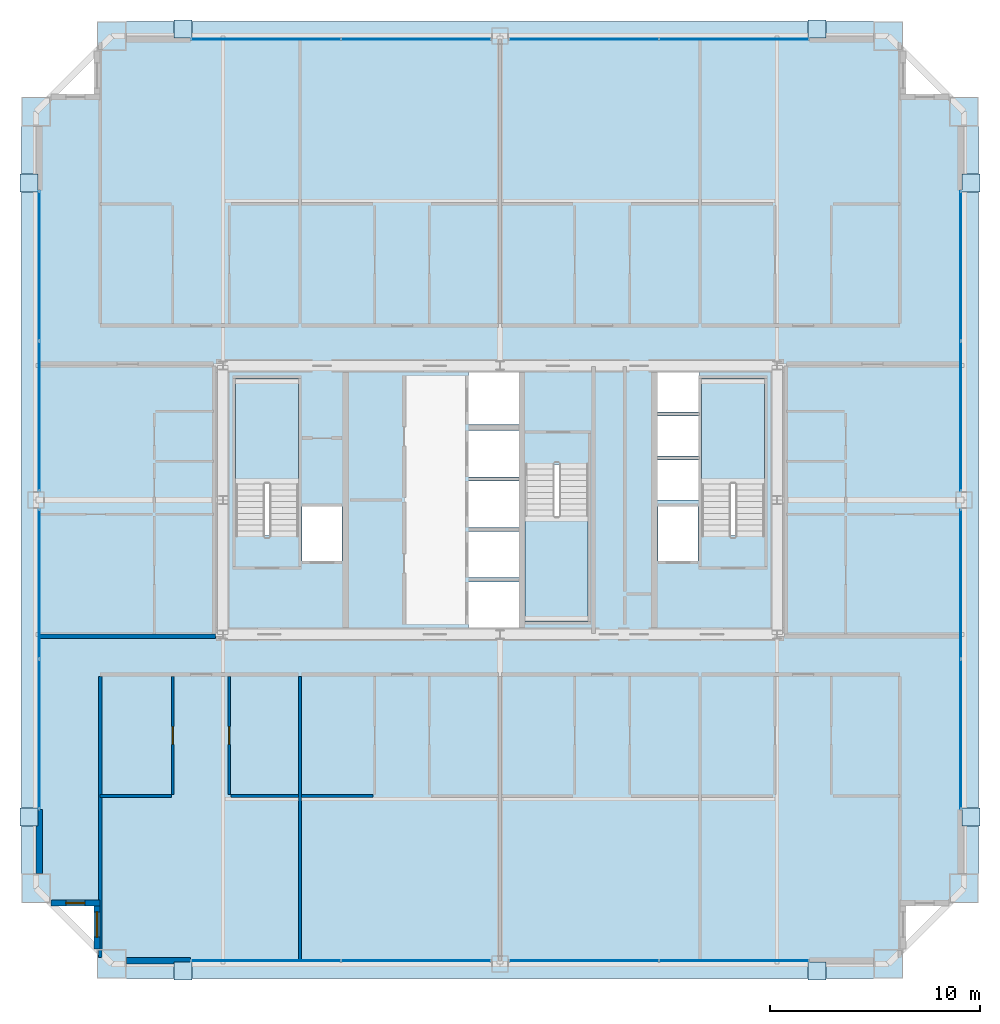
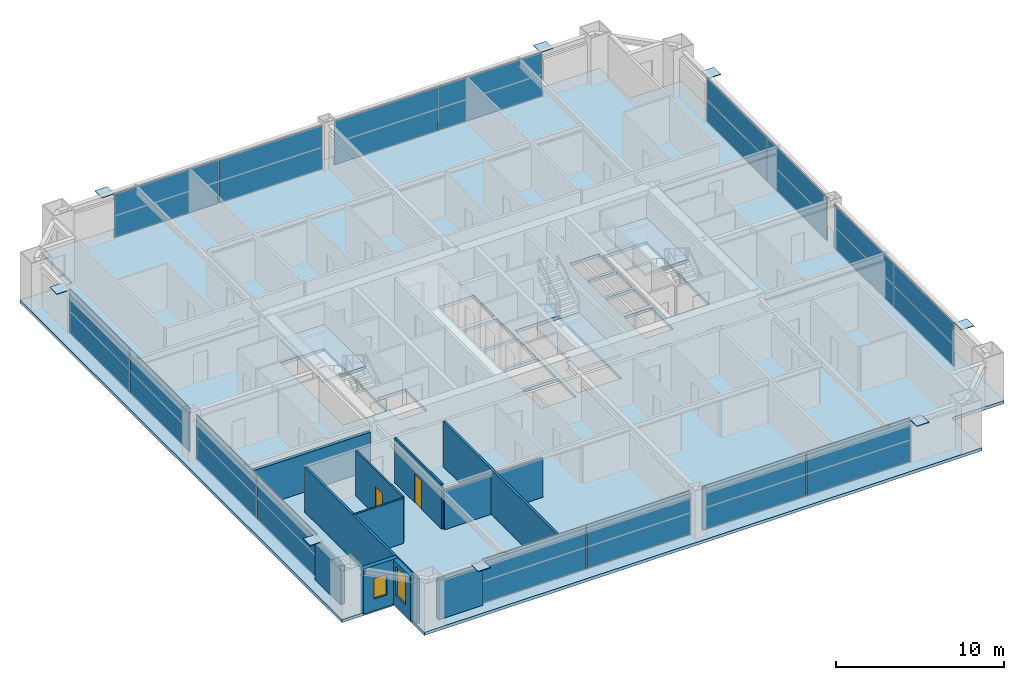
# One storey, part 32 of 38: 24 plates, 12 walls, 4 slabs, 2 doors, 2 windows, 4 openings, 11 elements without a shape of their own.
"""IFC4 building model written with IfcOpenShell, lengths in metres."""

from ifc_helpers import new_model, si_unit, direction, frame, frame_2d, origin, origin_2d, place, context, subcontext, project, spatial, polyline, rectangle, outline, extrude, source, transform, mapped, material, layer, layer_set, type_object, element, fill, aggregate, save


model = new_model("IFC4")

# Units and contexts
model_context = context("Model", 3, precision=1e-05, world=origin(), true_north=direction((0.0, 1.0)))
body_context = subcontext(model_context, "Body", "Model", "MODEL_VIEW")
ifc_project = project(units=[si_unit("LENGTHUNIT", "METRE"), si_unit("AREAUNIT", "SQUARE_METRE"), si_unit("VOLUMEUNIT", "CUBIC_METRE"), si_unit("PLANEANGLEUNIT", "RADIAN"), si_unit("MASSUNIT", "GRAM", prefix="KILO"), si_unit("THERMODYNAMICTEMPERATUREUNIT", "KELVIN"), si_unit("POWERUNIT", "WATT")], contexts=[model_context])

# Site, building, storey
site_placement = place(None, origin())
site = spatial("IfcSite", under=ifc_project, at=site_placement, CompositionType="ELEMENT")
building_placement = place(site_placement, origin())
building = spatial("IfcBuilding", under=site, at=building_placement, Name="Yuzanri Waterfront Tower", CompositionType="ELEMENT")
storey_placement = place(building_placement, frame((0.0, 0.0, 181.0)))
storey = spatial("IfcBuildingStorey", under=building, at=storey_placement, Name="L47", CompositionType="ELEMENT", Elevation=181.0)

# Stair, slab
ifc_material_1 = material(Name="Concrete C40", Category="concrete")
stair_type = type_object("IfcStairType", Name="Concrete C40 Core Dogleg Exit Stair", PredefinedType="HALF_TURN_STAIR", material=ifc_material_1)
stair_1_placement = place(storey_placement, origin())
stair_1 = element("IfcStair", 1, at=stair_1_placement, inside=storey, type_object=stair_type, Name="L47 Smoke-Proof Core Stair ST-01", PredefinedType="HALF_TURN_STAIR")
ifc_material_2 = material(Name="Concrete C40", Category="concrete")
ifc_layer_1 = layer(ifc_material_2, 0.179931640625)
ifc_layer_set_1 = layer_set([ifc_layer_1], Name="Concrete C40")
slab_type_1 = type_object("IfcSlabType", Name="Concrete C40 Stair Half-Landing Slab 180", PredefinedType="LANDING", material=ifc_layer_set_1)
slab_1_placement = place(storey_placement, frame((0.0, 0.0, 1.550048828125)))
slab_1 = element("IfcSlab", 2, at=slab_1_placement, type_object=slab_type_1, Name="ST-01 landing 1", PredefinedType="LANDING", context=body_context, shape_type="SweptSolid", body=[
    extrude(outline(polyline([(27.39990234375, 26.56005859375), (27.39990234375, 31.580078125), (24.39990234375, 31.580078125), (24.39990234375, 26.56005859375), (27.39990234375, 26.56005859375)])), origin(), (0.0, 0.0, 1.0), 0.199951171875),
])
aggregate(stair_1, [slab_1])

stair_2_placement = place(storey_placement, origin())
stair_2 = element("IfcStair", 3, at=stair_2_placement, inside=storey, type_object=stair_type, Name="L47 Smoke-Proof Core Stair ST-02", PredefinedType="HALF_TURN_STAIR")
slab_2_placement = place(storey_placement, frame((0.0, 0.0, 1.550048828125)))
slab_2 = element("IfcSlab", 4, at=slab_2_placement, type_object=slab_type_1, Name="ST-02 landing 1", PredefinedType="LANDING", context=body_context, shape_type="SweptSolid", body=[
    extrude(outline(polyline([(49.60009765625, 26.56005859375), (49.60009765625, 31.580078125), (46.60009765625, 31.580078125), (46.60009765625, 26.56005859375), (49.60009765625, 26.56005859375)])), origin(), (0.0, 0.0, 1.0), 0.199951171875),
])
aggregate(stair_2, [slab_2])

stair_3_placement = place(storey_placement, origin())
stair_3 = element("IfcStair", 5, at=stair_3_placement, inside=storey, type_object=stair_type, Name="L47 Smoke-Proof Core Stair ST-03", PredefinedType="HALF_TURN_STAIR")
slab_3_placement = place(storey_placement, frame((0.0, 0.0, 1.550048828125)))
slab_3 = element("IfcSlab", 6, at=slab_3_placement, type_object=slab_type_1, Name="ST-03 landing 1", PredefinedType="LANDING", context=body_context, shape_type="SweptSolid", body=[
    extrude(outline(polyline([(38.199951171875, 25.0400390625), (38.199951171875, 20.02001953125), (41.199951171875, 20.02001953125), (41.199951171875, 25.0400390625), (38.199951171875, 25.0400390625)])), origin(), (0.0, 0.0, 1.0), 0.199951171875),
])
aggregate(stair_3, [slab_3])

# Slab
ifc_material_3 = material(Name="Concrete C40", Category="concrete")
ifc_layer_2 = layer(ifc_material_3, 0.219970703125)
ifc_layer_set_2 = layer_set([ifc_layer_2], Name="Concrete C40")
slab_type_2 = type_object("IfcSlabType", Name="Concrete C40 Tower Typical Structural Floor Slab 220", PredefinedType="FLOOR", material=ifc_layer_set_2)
slab_4_placement = place(storey_placement, frame((0.0, 0.0, -0.219970703125)))
element("IfcSlab", 7, at=slab_4_placement, inside=storey, type_object=slab_type_2, Name="L47 Main Structural Floor Slab", PredefinedType="FLOOR", context=body_context, shape_type="SweptSolid", body=[
    extrude(outline(polyline([(17.800048828125, 3.0), (56.199951171875, 3.0), (56.199951171875, 6.60009765625), (59.800048828125, 6.60009765625), (59.800048828125, 45.0), (56.199951171875, 45.0), (56.199951171875, 48.60009765625), (17.800048828125, 48.60009765625), (17.800048828125, 45.0), (14.199951171875, 45.0), (14.199951171875, 6.60009765625), (17.800048828125, 6.60009765625), (17.800048828125, 3.0)]), holes=[polyline([(27.39990234375, 24.10009765625), (27.39990234375, 31.580078125), (24.39990234375, 31.580078125), (24.39990234375, 24.10009765625), (27.39990234375, 24.10009765625)]), polyline([(49.60009765625, 24.10009765625), (49.60009765625, 31.580078125), (46.60009765625, 31.580078125), (46.60009765625, 24.10009765625), (49.60009765625, 24.10009765625)]), polyline([(38.199951171875, 27.5), (38.199951171875, 20.02001953125), (41.199951171875, 20.02001953125), (41.199951171875, 27.5), (38.199951171875, 27.5)]), polyline([(27.56005859375, 22.89990234375), (29.47998046875, 22.89990234375), (29.47998046875, 25.5), (27.56005859375, 25.5), (27.56005859375, 22.89990234375)]), polyline([(44.52001953125, 22.89990234375), (46.43994140625, 22.89990234375), (46.43994140625, 25.5), (44.52001953125, 25.5), (44.52001953125, 22.89990234375)]), polyline([(35.5, 19.699951171875), (37.89990234375, 19.699951171875), (37.89990234375, 21.89990234375), (35.5, 21.89990234375), (35.5, 19.699951171875)]), polyline([(35.5, 22.10009765625), (37.89990234375, 22.10009765625), (37.89990234375, 24.300048828125), (35.5, 24.300048828125), (35.5, 22.10009765625)]), polyline([(35.5, 24.5), (37.89990234375, 24.5), (37.89990234375, 26.699951171875), (35.5, 26.699951171875), (35.5, 24.5)]), polyline([(35.5, 26.89990234375), (37.89990234375, 26.89990234375), (37.89990234375, 29.10009765625), (35.5, 29.10009765625), (35.5, 26.89990234375)]), polyline([(35.5, 29.39990234375), (37.89990234375, 29.39990234375), (37.89990234375, 31.89990234375), (35.5, 31.89990234375), (35.5, 29.39990234375)]), polyline([(44.5, 25.800048828125), (46.5, 25.800048828125), (46.5, 27.699951171875), (44.5, 27.699951171875), (44.5, 25.800048828125)]), polyline([(44.5, 27.89990234375), (46.5, 27.89990234375), (46.5, 29.800048828125), (44.5, 29.800048828125), (44.5, 27.89990234375)]), polyline([(44.5, 30.0), (46.5, 30.0), (46.5, 31.89990234375), (44.5, 31.89990234375), (44.5, 30.0)])]), origin(), (0.0, 0.0, 1.0), 0.219970703125),
])

# Plates
ifc_material_4 = material(Name="Steel Q420GJC", Category="steel")
ifc_layer_3 = layer(ifc_material_4, 0.0400390625)
ifc_layer_set_3 = layer_set([ifc_layer_3], Name="Steel Q420GJC")
plate_type_1 = type_object("IfcPlateType", Name="Steel Q420GJC Mega-Brace Gusset and End-Cap Plate 40", PredefinedType="SHEET", material=ifc_layer_set_3)
shared_shape_1 = source(origin(), body_context, "Body", "SweptSolid", [
    extrude(rectangle(XDim=0.85009765625, YDim=0.85009765625, at=origin_2d()), origin(), (0.0, 0.0, 1.0), 0.0400390625),
])
for number, where, z_axis, x_axis, name in (
    (8, (21.89990234375, 3.360107421875, 3.159912109375), (0.0, 0.0, 1.0), (1.0, 0.0, 0.0), "L47 Mega-Brace Apex Cap Plate S-L"),
    (9, (52.10009765625, 3.360107421875, 3.159912109375), (0.0, 0.0, 1.0), (1.0, 0.0, 0.0), "L47 Mega-Brace Apex Cap Plate S-R"),
    (10, (21.89990234375, 48.239990234375, 3.159912109375), (0.0, 0.0, 1.0), (1.0, 0.0, 0.0), "L47 Mega-Brace Apex Cap Plate N-L"),
    (11, (52.10009765625, 48.239990234375, 3.159912109375), (0.0, 0.0, 1.0), (1.0, 0.0, 0.0), "L47 Mega-Brace Apex Cap Plate N-R"),
    (12, (14.56005859375, 10.699951171875, 3.159912109375), (0.0, 0.0, 1.0), (1.0, 0.0, 0.0), "L47 Mega-Brace Apex Cap Plate W-L"),
    (13, (14.56005859375, 40.89990234375, 3.159912109375), (0.0, 0.0, 1.0), (1.0, 0.0, 0.0), "L47 Mega-Brace Apex Cap Plate W-R"),
    (14, (59.43994140625, 10.699951171875, 3.159912109375), (0.0, 0.0, 1.0), (1.0, 0.0, 0.0), "L47 Mega-Brace Apex Cap Plate E-L"),
    (15, (59.43994140625, 40.89990234375, 3.159912109375), (0.0, 0.0, 1.0), (1.0, 0.0, 0.0), "L47 Mega-Brace Apex Cap Plate E-R"),
):
    element("IfcPlate", number, at=place(storey_placement, frame(where, z_axis=z_axis, x_axis=x_axis)), inside=storey, type_object=plate_type_1, Name=name, PredefinedType="SHEET", context=body_context, shape_type="MappedRepresentation", body=[
        mapped(shared_shape_1, transform((0.0, 0.0, 0.0), scale=1.0)),
    ])

# Curtain wall, plates
ifc_material_5 = material(Name="Anodized Architectural Bronze", Category="metal")
ifc_layer_4 = layer(ifc_material_5, 0.159912109375)
ifc_layer_set_4 = layer_set([ifc_layer_4], Name="Anodized Architectural Bronze")
curtain_wall_type = type_object("IfcCurtainWallType", Name="Anodized Bronze Mid-Rise Residential Acoustic Unitized Curtain Wall 7200", PredefinedType="NOTDEFINED", material=ifc_layer_set_4)
curtain_wall_1_placement = place(storey_placement, origin())
curtain_wall_1 = element("IfcCurtainWall", 16, at=curtain_wall_1_placement, inside=storey, type_object=curtain_wall_type, Name="L47 Curtain Wall CW-L47-SL", PredefinedType="NOTDEFINED")
ifc_material_6 = material(Name="Triple Low-E Laminated Insulated Glass", Category="glass")
ifc_layer_5 = layer(ifc_material_6, 0.0439453125)
ifc_layer_set_5 = layer_set([ifc_layer_5], Name="Triple Low-E Laminated Insulated Glass")
plate_type_2 = type_object("IfcPlateType", Name="Triple Glazed Acoustic Vision Glass Panel 44", PredefinedType="CURTAIN_PANEL", material=ifc_layer_set_5)
shared_shape_2 = source(origin(), body_context, "Body", "SweptSolid", [
    extrude(rectangle(XDim=7.094970703125, YDim=0.0439453125, at=origin_2d()), origin(), (0.0, 0.0, 1.0), 3.179931640625),
])
plate_1_placement = place(storey_placement, frame((25.83740234375, 3.85009765625, 0.0498046875), z_axis=(0.0, 0.0, 1.0), x_axis=(1.0, 0.0, 0.0)))
plate_1 = element("IfcPlate", 17, at=plate_1_placement, type_object=plate_type_2, Name="CW-L47-SL Vision Glass Panel 01", PredefinedType="CURTAIN_PANEL", context=body_context, shape_type="MappedRepresentation", body=[
    mapped(shared_shape_2, transform((0.0, 0.0, 0.0), scale=1.0)),
])
plate_2_placement = place(storey_placement, frame((33.012451171875, 3.85009765625, 0.0498046875), z_axis=(0.0, 0.0, 1.0), x_axis=(1.0, 0.0, 0.0)))
plate_2 = element("IfcPlate", 18, at=plate_2_placement, type_object=plate_type_2, Name="CW-L47-SL Vision Glass Panel 02", PredefinedType="CURTAIN_PANEL", context=body_context, shape_type="MappedRepresentation", body=[
    mapped(shared_shape_2, transform((0.0, 0.0, 0.0), scale=1.0)),
])
aggregate(curtain_wall_1, [plate_1, plate_2])

curtain_wall_2_placement = place(storey_placement, origin())
curtain_wall_2 = element("IfcCurtainWall", 19, at=curtain_wall_2_placement, inside=storey, type_object=curtain_wall_type, Name="L47 Curtain Wall CW-L47-SR", PredefinedType="NOTDEFINED")
plate_3_placement = place(storey_placement, frame((40.987548828125, 3.85009765625, 0.0498046875), z_axis=(0.0, 0.0, 1.0), x_axis=(1.0, 0.0, 0.0)))
plate_3 = element("IfcPlate", 20, at=plate_3_placement, type_object=plate_type_2, Name="CW-L47-SR Vision Glass Panel 01", PredefinedType="CURTAIN_PANEL", context=body_context, shape_type="MappedRepresentation", body=[
    mapped(shared_shape_2, transform((0.0, 0.0, 0.0), scale=1.0)),
])
plate_4_placement = place(storey_placement, frame((48.16259765625, 3.85009765625, 0.0498046875), z_axis=(0.0, 0.0, 1.0), x_axis=(1.0, 0.0, 0.0)))
plate_4 = element("IfcPlate", 21, at=plate_4_placement, type_object=plate_type_2, Name="CW-L47-SR Vision Glass Panel 02", PredefinedType="CURTAIN_PANEL", context=body_context, shape_type="MappedRepresentation", body=[
    mapped(shared_shape_2, transform((0.0, 0.0, 0.0), scale=1.0)),
])
aggregate(curtain_wall_2, [plate_3, plate_4])

curtain_wall_3_placement = place(storey_placement, origin())
curtain_wall_3 = element("IfcCurtainWall", 22, at=curtain_wall_3_placement, inside=storey, type_object=curtain_wall_type, Name="L47 Curtain Wall CW-L47-NL", PredefinedType="NOTDEFINED")
plate_5_placement = place(storey_placement, frame((25.83740234375, 47.75, 0.0498046875), z_axis=(0.0, 0.0, 1.0), x_axis=(1.0, 0.0, 0.0)))
plate_5 = element("IfcPlate", 23, at=plate_5_placement, type_object=plate_type_2, Name="CW-L47-NL Vision Glass Panel 01", PredefinedType="CURTAIN_PANEL", context=body_context, shape_type="MappedRepresentation", body=[
    mapped(shared_shape_2, transform((0.0, 0.0, 0.0), scale=1.0)),
])
plate_6_placement = place(storey_placement, frame((33.012451171875, 47.75, 0.0498046875), z_axis=(0.0, 0.0, 1.0), x_axis=(1.0, 0.0, 0.0)))
plate_6 = element("IfcPlate", 24, at=plate_6_placement, type_object=plate_type_2, Name="CW-L47-NL Vision Glass Panel 02", PredefinedType="CURTAIN_PANEL", context=body_context, shape_type="MappedRepresentation", body=[
    mapped(shared_shape_2, transform((0.0, 0.0, 0.0), scale=1.0)),
])
aggregate(curtain_wall_3, [plate_5, plate_6])

curtain_wall_4_placement = place(storey_placement, origin())
curtain_wall_4 = element("IfcCurtainWall", 25, at=curtain_wall_4_placement, inside=storey, type_object=curtain_wall_type, Name="L47 Curtain Wall CW-L47-NR", PredefinedType="NOTDEFINED")
plate_7_placement = place(storey_placement, frame((40.987548828125, 47.75, 0.0498046875), z_axis=(0.0, 0.0, 1.0), x_axis=(1.0, 0.0, 0.0)))
plate_7 = element("IfcPlate", 26, at=plate_7_placement, type_object=plate_type_2, Name="CW-L47-NR Vision Glass Panel 01", PredefinedType="CURTAIN_PANEL", context=body_context, shape_type="MappedRepresentation", body=[
    mapped(shared_shape_2, transform((0.0, 0.0, 0.0), scale=1.0)),
])
plate_8_placement = place(storey_placement, frame((48.16259765625, 47.75, 0.0498046875), z_axis=(0.0, 0.0, 1.0), x_axis=(1.0, 0.0, 0.0)))
plate_8 = element("IfcPlate", 27, at=plate_8_placement, type_object=plate_type_2, Name="CW-L47-NR Vision Glass Panel 02", PredefinedType="CURTAIN_PANEL", context=body_context, shape_type="MappedRepresentation", body=[
    mapped(shared_shape_2, transform((0.0, 0.0, 0.0), scale=1.0)),
])
aggregate(curtain_wall_4, [plate_7, plate_8])

curtain_wall_5_placement = place(storey_placement, origin())
curtain_wall_5 = element("IfcCurtainWall", 28, at=curtain_wall_5_placement, inside=storey, type_object=curtain_wall_type, Name="L47 Curtain Wall CW-L47-WL", PredefinedType="NOTDEFINED")
plate_9_placement = place(storey_placement, frame((15.050048828125, 14.637451171875, 0.0498046875), z_axis=(0.0, 0.0, 1.0), x_axis=(0.0, 1.0, 0.0)))
plate_9 = element("IfcPlate", 29, at=plate_9_placement, type_object=plate_type_2, Name="CW-L47-WL Vision Glass Panel 01", PredefinedType="CURTAIN_PANEL", context=body_context, shape_type="MappedRepresentation", body=[
    mapped(shared_shape_2, transform((0.0, 0.0, 0.0), scale=1.0)),
])
plate_10_placement = place(storey_placement, frame((15.050048828125, 21.8125, 0.0498046875), z_axis=(0.0, 0.0, 1.0), x_axis=(0.0, 1.0, 0.0)))
plate_10 = element("IfcPlate", 30, at=plate_10_placement, type_object=plate_type_2, Name="CW-L47-WL Vision Glass Panel 02", PredefinedType="CURTAIN_PANEL", context=body_context, shape_type="MappedRepresentation", body=[
    mapped(shared_shape_2, transform((0.0, 0.0, 0.0), scale=1.0)),
])
aggregate(curtain_wall_5, [plate_9, plate_10])

curtain_wall_6_placement = place(storey_placement, origin())
curtain_wall_6 = element("IfcCurtainWall", 31, at=curtain_wall_6_placement, inside=storey, type_object=curtain_wall_type, Name="L47 Curtain Wall CW-L47-WR", PredefinedType="NOTDEFINED")
plate_11_placement = place(storey_placement, frame((15.050048828125, 29.78759765625, 0.0498046875), z_axis=(0.0, 0.0, 1.0), x_axis=(0.0, 1.0, 0.0)))
plate_11 = element("IfcPlate", 32, at=plate_11_placement, type_object=plate_type_2, Name="CW-L47-WR Vision Glass Panel 01", PredefinedType="CURTAIN_PANEL", context=body_context, shape_type="MappedRepresentation", body=[
    mapped(shared_shape_2, transform((0.0, 0.0, 0.0), scale=1.0)),
])
plate_12_placement = place(storey_placement, frame((15.050048828125, 36.96240234375, 0.0498046875), z_axis=(0.0, 0.0, 1.0), x_axis=(0.0, 1.0, 0.0)))
plate_12 = element("IfcPlate", 33, at=plate_12_placement, type_object=plate_type_2, Name="CW-L47-WR Vision Glass Panel 02", PredefinedType="CURTAIN_PANEL", context=body_context, shape_type="MappedRepresentation", body=[
    mapped(shared_shape_2, transform((0.0, 0.0, 0.0), scale=1.0)),
])
aggregate(curtain_wall_6, [plate_11, plate_12])

curtain_wall_7_placement = place(storey_placement, origin())
curtain_wall_7 = element("IfcCurtainWall", 34, at=curtain_wall_7_placement, inside=storey, type_object=curtain_wall_type, Name="L47 Curtain Wall CW-L47-EL", PredefinedType="NOTDEFINED")
plate_13_placement = place(storey_placement, frame((58.949951171875, 14.637451171875, 0.0498046875), z_axis=(0.0, 0.0, 1.0), x_axis=(0.0, 1.0, 0.0)))
plate_13 = element("IfcPlate", 35, at=plate_13_placement, type_object=plate_type_2, Name="CW-L47-EL Vision Glass Panel 01", PredefinedType="CURTAIN_PANEL", context=body_context, shape_type="MappedRepresentation", body=[
    mapped(shared_shape_2, transform((0.0, 0.0, 0.0), scale=1.0)),
])
plate_14_placement = place(storey_placement, frame((58.949951171875, 21.8125, 0.0498046875), z_axis=(0.0, 0.0, 1.0), x_axis=(0.0, 1.0, 0.0)))
plate_14 = element("IfcPlate", 36, at=plate_14_placement, type_object=plate_type_2, Name="CW-L47-EL Vision Glass Panel 02", PredefinedType="CURTAIN_PANEL", context=body_context, shape_type="MappedRepresentation", body=[
    mapped(shared_shape_2, transform((0.0, 0.0, 0.0), scale=1.0)),
])
aggregate(curtain_wall_7, [plate_13, plate_14])

curtain_wall_8_placement = place(storey_placement, origin())
curtain_wall_8 = element("IfcCurtainWall", 37, at=curtain_wall_8_placement, inside=storey, type_object=curtain_wall_type, Name="L47 Curtain Wall CW-L47-ER", PredefinedType="NOTDEFINED")
plate_15_placement = place(storey_placement, frame((58.949951171875, 29.78759765625, 0.0498046875), z_axis=(0.0, 0.0, 1.0), x_axis=(0.0, 1.0, 0.0)))
plate_15 = element("IfcPlate", 38, at=plate_15_placement, type_object=plate_type_2, Name="CW-L47-ER Vision Glass Panel 01", PredefinedType="CURTAIN_PANEL", context=body_context, shape_type="MappedRepresentation", body=[
    mapped(shared_shape_2, transform((0.0, 0.0, 0.0), scale=1.0)),
])
plate_16_placement = place(storey_placement, frame((58.949951171875, 36.96240234375, 0.0498046875), z_axis=(0.0, 0.0, 1.0), x_axis=(0.0, 1.0, 0.0)))
plate_16 = element("IfcPlate", 39, at=plate_16_placement, type_object=plate_type_2, Name="CW-L47-ER Vision Glass Panel 02", PredefinedType="CURTAIN_PANEL", context=body_context, shape_type="MappedRepresentation", body=[
    mapped(shared_shape_2, transform((0.0, 0.0, 0.0), scale=1.0)),
])
aggregate(curtain_wall_8, [plate_15, plate_16])

# Wall, opening, door
ifc_material_7 = material(Name="Moisture-Resistant Gypsum Stud Wall", Category="gypsum")
ifc_layer_6 = layer(ifc_material_7, 0.1201171875)
ifc_layer_set_6 = layer_set([ifc_layer_6], Name="Moisture-Resistant Gypsum Stud Wall")
wall_type_1 = type_object("IfcWallType", Name="Bathroom and Kitchen Wet Partition 120", PredefinedType="PARTITIONING", material=ifc_layer_set_6)
wall_1_placement = place(storey_placement, frame((21.419921875, 11.780029296875, 0.0), z_axis=(0.0, 0.0, 1.0), x_axis=(0.0, 1.0, 0.0)))
wall_1 = element("IfcWall", 40, at=wall_1_placement, inside=storey, type_object=wall_type_1, Name="L47 Partition UW-L47-RS1-SUB-1-E", PredefinedType="PARTITIONING", context=body_context, shape_type="SweptSolid", body=[
    extrude(rectangle(XDim=5.60986328125, YDim=0.1201171875, at=frame_2d((2.804931640625, 0.0))), origin(), (0.0, 0.0, 1.0), 3.280029296875),
])
opening_1_placement = place(wall_1_placement, frame((2.3798828125, 0.0, 0.0)))
opening_1 = element("IfcOpeningElement", 41, at=opening_1_placement, cuts=wall_1, Name="Opening ID-0850", PredefinedType="OPENING", context=body_context, shape_type="SweptSolid", body=[
    extrude(rectangle(XDim=0.85009765625, YDim=2.10009765625, at=frame_2d((0.425048828125, 1.050048828125))), frame((0.0, 0.074951171875, 0.0), z_axis=(0.0, -1.0, 0.0), x_axis=(1.0, 0.0, 0.0)), (0.0, 0.0, 1.0), 0.14990234375),
])
ifc_material_8 = material(Name="Moisture-Resistant Lacquered Timber", Category="wood")
door_type = type_object("IfcDoorType", Name="En-Suite Bathroom and Kitchen Swing Door 850x2100", OperationType="NOTDEFINED", PredefinedType="DOOR", material=ifc_material_8)
shared_shape_3 = source(origin(), body_context, "Body", "SweptSolid", [
    extrude(rectangle(XDim=0.85009765625, YDim=2.10009765625, at=frame_2d((0.425048828125, 1.050048828125))), frame((0.0, 0.02490234375, 0.0), z_axis=(0.0, -1.0, 0.0), x_axis=(1.0, 0.0, 0.0)), (0.0, 0.0, 1.0), 0.050048828125),
])
door_1_placement = place(opening_1_placement, origin())
door_1 = element("IfcDoor", 42, at=door_1_placement, inside=storey, type_object=door_type, Name="L47 Suite Interior Room Door", OperationType="SINGLE_SWING_LEFT", OverallHeight=2.10009765625, OverallWidth=0.85009765625, PredefinedType="DOOR", context=body_context, shape_type="MappedRepresentation", body=[
    mapped(shared_shape_3, transform((0.0, 0.0, 0.0), scale=1.0)),
])
fill(opening_1, door_1)

wall_2_placement = place(storey_placement, frame((24.110107421875, 11.780029296875, 0.0), z_axis=(0.0, 0.0, 1.0), x_axis=(0.0, 1.0, 0.0)))
wall_2 = element("IfcWall", 43, at=wall_2_placement, inside=storey, type_object=wall_type_1, Name="L47 Partition UW-L47-RS1-SUB-2-W", PredefinedType="PARTITIONING", context=body_context, shape_type="SweptSolid", body=[
    extrude(rectangle(XDim=5.60986328125, YDim=0.1201171875, at=frame_2d((2.804931640625, 0.0))), origin(), (0.0, 0.0, 1.0), 3.280029296875),
])
opening_2_placement = place(wall_2_placement, frame((2.3798828125, 0.0, 0.0)))
opening_2 = element("IfcOpeningElement", 44, at=opening_2_placement, cuts=wall_2, Name="Opening ID-0850", PredefinedType="OPENING", context=body_context, shape_type="SweptSolid", body=[
    extrude(rectangle(XDim=0.85009765625, YDim=2.10009765625, at=frame_2d((0.425048828125, 1.050048828125))), frame((0.0, 0.074951171875, 0.0), z_axis=(0.0, -1.0, 0.0), x_axis=(1.0, 0.0, 0.0)), (0.0, 0.0, 1.0), 0.14990234375),
])
door_2_placement = place(opening_2_placement, origin())
door_2 = element("IfcDoor", 45, at=door_2_placement, inside=storey, type_object=door_type, Name="L47 Suite Interior Room Door", OperationType="SINGLE_SWING_RIGHT", OverallHeight=2.10009765625, OverallWidth=0.85009765625, PredefinedType="DOOR", context=body_context, shape_type="MappedRepresentation", body=[
    mapped(shared_shape_3, transform((0.0, 0.0, 0.0), scale=1.0)),
])
fill(opening_2, door_2)

# Wall, opening, window
ifc_material_9 = material(Name="Honed Chongqing Dark Basalt Stone", Category="masonry")
ifc_layer_7 = layer(ifc_material_9, 0.300048828125)
ifc_layer_set_7 = layer_set([ifc_layer_7], Name="Honed Chongqing Dark Basalt Stone")
wall_type_2 = type_object("IfcWallType", Name="Bronze Rainscreen Insulated Spandrel Portal Wall 300", PredefinedType="SOLIDWALL", material=ifc_layer_set_7)
wall_3_placement = place(storey_placement, frame((15.60009765625, 6.60009765625, 0.0), z_axis=(0.0, 0.0, 1.0), x_axis=(1.0, 0.0, 0.0)))
wall_3 = element("IfcWall", 46, at=wall_3_placement, inside=storey, type_object=wall_type_2, Name="L47 Notched Corner Masonry Wall SW-X", PredefinedType="SOLIDWALL", context=body_context, shape_type="SweptSolid", body=[
    extrude(rectangle(XDim=2.349853515625, YDim=0.300048828125, at=frame_2d((1.1748046875, 0.0))), origin(), (0.0, 0.0, 1.0), 3.280029296875),
])
opening_3_placement = place(wall_3_placement, frame((0.72509765625, 0.0, 0.85009765625)))
opening_3 = element("IfcOpeningElement", 47, at=opening_3_placement, cuts=wall_3, Name="Opening WN-05", PredefinedType="OPENING", context=body_context, shape_type="SweptSolid", body=[
    extrude(rectangle(XDim=0.89990234375, YDim=1.5, at=frame_2d((0.449951171875, 0.75))), frame((0.0, 0.1650390625, 0.0), z_axis=(0.0, -1.0, 0.0), x_axis=(1.0, 0.0, 0.0)), (0.0, 0.0, 1.0), 0.329833984375),
])
ifc_material_10 = material(Name="Double-Silver Low-E Insulated Glass", Category="glass")
window_type_1 = type_object("IfcWindowType", Name="Anodized Bronze Service and Stairwell Smoke-Vent Window 900x1500", PartitioningType="SINGLE_PANEL", PredefinedType="WINDOW", material=ifc_material_10)
shared_shape_4 = source(origin(), body_context, "Body", "SweptSolid", [
    extrude(rectangle(XDim=0.89990234375, YDim=1.5, at=frame_2d((0.449951171875, 0.75))), frame((0.0, 0.030029296875, 0.0), z_axis=(0.0, -1.0, 0.0), x_axis=(1.0, 0.0, 0.0)), (0.0, 0.0, 1.0), 0.06005859375),
])
window_1_placement = place(opening_3_placement, origin())
window_1 = element("IfcWindow", 48, at=window_1_placement, inside=storey, type_object=window_type_1, Name="L47 Notched Corner Window SW-X", OverallHeight=1.5, OverallWidth=0.89990234375, PartitioningType="SINGLE_PANEL", PredefinedType="WINDOW", context=body_context, shape_type="MappedRepresentation", body=[
    mapped(shared_shape_4, transform((0.0, 0.0, 0.0), scale=1.0)),
])
fill(opening_3, window_1)

wall_4_placement = place(storey_placement, frame((17.800048828125, 6.75, 0.0), z_axis=(0.0, 0.0, 1.0), x_axis=(0.0, -1.0, 0.0)))
wall_4 = element("IfcWall", 49, at=wall_4_placement, inside=storey, type_object=wall_type_2, Name="L47 Notched Corner Masonry Wall SW-Y", PredefinedType="SOLIDWALL", context=body_context, shape_type="SweptSolid", body=[
    extrude(rectangle(XDim=2.35009765625, YDim=0.300048828125, at=frame_2d((1.175048828125, 0.0))), origin(), (0.0, 0.0, 1.0), 3.280029296875),
])
opening_4_placement = place(wall_4_placement, frame((0.574951171875, 0.0, 0.85009765625)))
opening_4 = element("IfcOpeningElement", 50, at=opening_4_placement, cuts=wall_4, Name="Opening WN-02", PredefinedType="OPENING", context=body_context, shape_type="SweptSolid", body=[
    extrude(rectangle(XDim=1.199951171875, YDim=2.10009765625, at=frame_2d((0.60009765625, 1.050048828125))), frame((0.0, 0.1650390625, 0.0), z_axis=(0.0, -1.0, 0.0), x_axis=(1.0, 0.0, 0.0)), (0.0, 0.0, 1.0), 0.329833984375),
])
ifc_material_11 = material(Name="Double-Silver Low-E Insulated Glass", Category="glass")
window_type_2 = type_object("IfcWindowType", Name="Anodized Bronze Notched Corner Deep-Set Slot Window 1200x2100", PartitioningType="SINGLE_PANEL", PredefinedType="WINDOW", material=ifc_material_11)
shared_shape_5 = source(origin(), body_context, "Body", "SweptSolid", [
    extrude(rectangle(XDim=1.199951171875, YDim=2.10009765625, at=frame_2d((0.60009765625, 1.050048828125))), frame((0.0, 0.030029296875, 0.0), z_axis=(0.0, -1.0, 0.0), x_axis=(1.0, 0.0, 0.0)), (0.0, 0.0, 1.0), 0.06005859375),
])
window_2_placement = place(opening_4_placement, origin())
window_2 = element("IfcWindow", 51, at=window_2_placement, inside=storey, type_object=window_type_2, Name="L47 Notched Corner Window SW-Y", OverallHeight=2.10009765625, OverallWidth=1.199951171875, PartitioningType="SINGLE_PANEL", PredefinedType="WINDOW", context=body_context, shape_type="MappedRepresentation", body=[
    mapped(shared_shape_5, transform((0.0, 0.0, 0.0), scale=1.0)),
])
fill(opening_4, window_2)

# Walls
shared_shape_6 = source(origin(), body_context, "Body", "SweptSolid", [
    extrude(rectangle(XDim=3.050048828125, YDim=0.300048828125, at=frame_2d((1.52490234375, 0.0))), origin(), (0.0, 0.0, 1.0), 2.8349609375),
])
for number, where, z_axis, x_axis, name in (
    (52, (19.199951171875, 3.85009765625, 0.0), (0.0, 0.0, 1.0), (1.0, 0.0, 0.0), "L47 S Left Braced Masonry Shoulder"),
    (53, (15.050048828125, 8.0, 0.0), (0.0, 0.0, 1.0), (0.0, 1.0, 0.0), "L47 W Left Braced Masonry Shoulder"),
):
    element("IfcWall", number, at=place(storey_placement, frame(where, z_axis=z_axis, x_axis=x_axis)), inside=storey, type_object=wall_type_2, Name=name, PredefinedType="SOLIDWALL", context=body_context, shape_type="MappedRepresentation", body=[
        mapped(shared_shape_6, transform((0.0, 0.0, 0.0), scale=1.0)),
    ])
ifc_material_12 = material(Name="Gypsum Fireboard Acoustic Stud Wall", Category="gypsum")
ifc_layer_8 = layer(ifc_material_12, 0.159912109375)
ifc_layer_set_8 = layer_set([ifc_layer_8], Name="Gypsum Fireboard Acoustic Stud Wall")
wall_type_3 = type_object("IfcWallType", Name="Acoustic Suite Demising Partition 160", PredefinedType="PARTITIONING", material=ifc_layer_set_8)
shared_shape_7 = source(origin(), body_context, "Body", "SweptSolid", [
    extrude(rectangle(XDim=13.539794921875, YDim=0.159912109375, at=frame_2d((6.77001953125, 0.0))), origin(), (0.0, 0.0, 1.0), 3.280029296875),
])
wall_5_placement = place(storey_placement, frame((27.469970703125, 3.85009765625, 0.0), z_axis=(0.0, 0.0, 1.0), x_axis=(0.0, 1.0, 0.0)))
element("IfcWall", 54, at=wall_5_placement, inside=storey, type_object=wall_type_3, Name="L47-RS1 Party Wall", PredefinedType="PARTITIONING", context=body_context, shape_type="MappedRepresentation", body=[
    mapped(shared_shape_7, transform((0.0, 0.0, 0.0), scale=1.0)),
])
shared_shape_8 = source(origin(), body_context, "Body", "SweptSolid", [
    extrude(rectangle(XDim=3.400146484375, YDim=0.1201171875, at=frame_2d((1.7001953125, 0.0))), origin(), (0.0, 0.0, 1.0), 3.280029296875),
])
wall_6_placement = place(storey_placement, frame((17.93994140625, 11.699951171875, 0.0), z_axis=(0.0, 0.0, 1.0), x_axis=(1.0, 0.0, 0.0)))
element("IfcWall", 55, at=wall_6_placement, inside=storey, type_object=wall_type_1, Name="L47 Partition UW-L47-RS1-SUB-1-S", PredefinedType="PARTITIONING", context=body_context, shape_type="MappedRepresentation", body=[
    mapped(shared_shape_8, transform((0.0, 0.0, 0.0), scale=1.0)),
])
shared_shape_9 = source(origin(), body_context, "Body", "SweptSolid", [
    extrude(rectangle(XDim=3.199951171875, YDim=0.1201171875, at=frame_2d((1.60009765625, 0.0))), origin(), (0.0, 0.0, 1.0), 2.875),
])
wall_7_placement = place(storey_placement, frame((24.18994140625, 11.699951171875, 0.0), z_axis=(0.0, 0.0, 1.0), x_axis=(1.0, 0.0, 0.0)))
element("IfcWall", 56, at=wall_7_placement, inside=storey, type_object=wall_type_1, Name="L47 Partition UW-L47-RS1-SUB-2-S", PredefinedType="PARTITIONING", context=body_context, shape_type="MappedRepresentation", body=[
    mapped(shared_shape_9, transform((0.0, 0.0, 0.0), scale=1.0)),
])
shared_shape_10 = source(origin(), body_context, "Body", "SweptSolid", [
    extrude(rectangle(XDim=3.39404296875, YDim=0.1201171875, at=frame_2d((1.697021484375, 0.0))), origin(), (0.0, 0.0, 1.0), 2.875),
])
wall_8_placement = place(storey_placement, frame((27.550048828125, 11.699951171875, 0.0), z_axis=(0.0, 0.0, 1.0), x_axis=(1.0, 0.0, 0.0)))
element("IfcWall", 57, at=wall_8_placement, inside=storey, type_object=wall_type_1, Name="L47 Partition UW-L47-RS2-SUB-1-S", PredefinedType="PARTITIONING", context=body_context, shape_type="MappedRepresentation", body=[
    mapped(shared_shape_10, transform((0.0, 0.0, 0.0), scale=1.0)),
])
shared_shape_11 = source(origin(), body_context, "Body", "SweptSolid", [
    extrude(rectangle(XDim=13.389892578125, YDim=0.159912109375, at=frame_2d((6.69482421875, 0.0))), origin(), (0.0, 0.0, 1.0), 3.280029296875),
])
wall_9_placement = place(storey_placement, frame((17.949951171875, 4.0, 0.0), z_axis=(0.0, 0.0, 1.0), x_axis=(0.0, 1.0, 0.0)))
element("IfcWall", 58, at=wall_9_placement, inside=storey, type_object=wall_type_3, Name="L47 South Band West End Wall", PredefinedType="PARTITIONING", context=body_context, shape_type="MappedRepresentation", body=[
    mapped(shared_shape_11, transform((0.0, 0.0, 0.0), scale=1.0)),
])
ifc_material_13 = material(Name="Autoclaved Aerated Concrete Blockwork", Category="masonry")
ifc_layer_9 = layer(ifc_material_13, 0.199951171875)
ifc_layer_set_9 = layer_set([ifc_layer_9], Name="Autoclaved Aerated Concrete Blockwork")
wall_type_4 = type_object("IfcWallType", Name="Corridor and Unit Party Fire Wall 200", PredefinedType="PARTITIONING", material=ifc_layer_set_9)
shared_shape_12 = source(origin(), body_context, "Body", "SweptSolid", [
    extrude(rectangle(XDim=8.39990234375, YDim=0.199951171875, at=frame_2d((4.199951171875, 0.0))), origin(), (0.0, 0.0, 1.0), 2.77490234375),
])
wall_10_placement = place(storey_placement, frame((15.050048828125, 19.31005859375, 0.0), z_axis=(0.0, 0.0, 1.0), x_axis=(1.0, 0.0, 0.0)))
element("IfcWall", 59, at=wall_10_placement, inside=storey, type_object=wall_type_4, Name="L47-RW1 Wing South Wall", PredefinedType="PARTITIONING", context=body_context, shape_type="MappedRepresentation", body=[
    mapped(shared_shape_12, transform((0.0, 0.0, 0.0), scale=1.0)),
])

save(model, "model.ifc")
